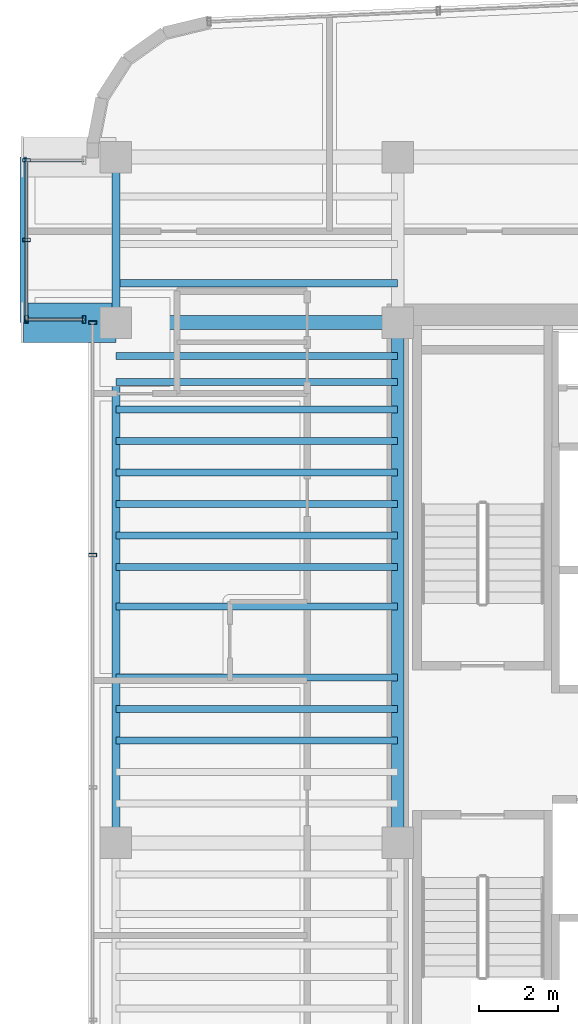
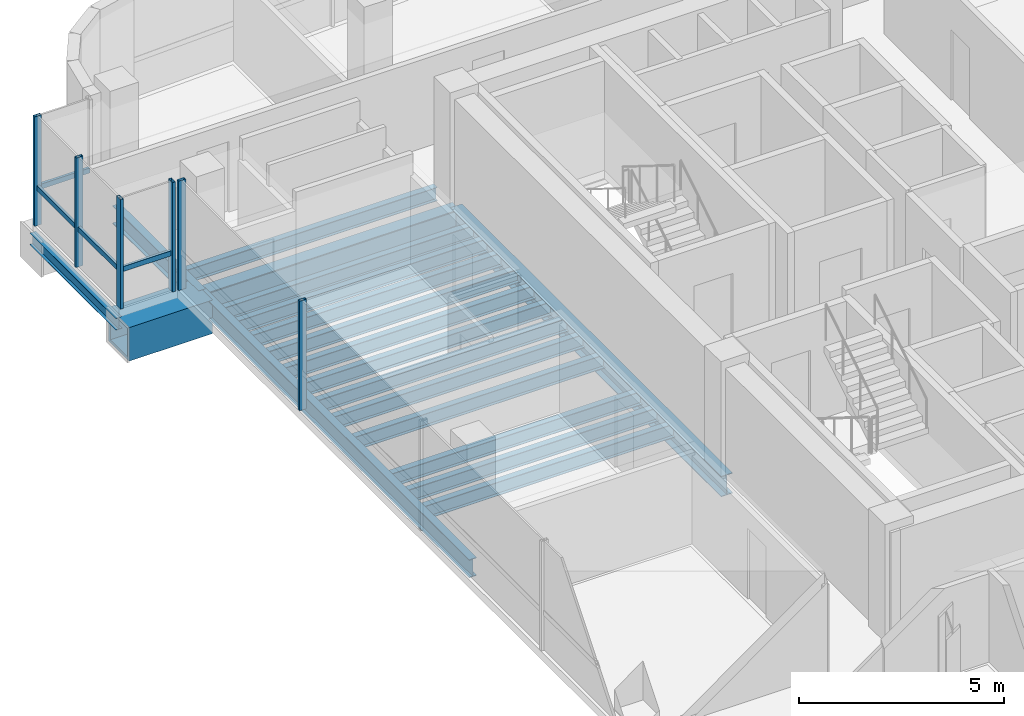
# One storey, part 7 of 21: 19 beams, 9 members, 4 elements without a shape of their own.
"""IFC4 building model written with IfcOpenShell, lengths in metres."""

from ifc_helpers import new_model, si_unit, direction, frame, origin, origin_2d, place, context, subcontext, project, spatial, hollow_rectangle, i_section, extrude, source, transform, mapped, material, material_profile, profile_set, type_object, element, aggregate, save


model = new_model("IFC4")

# Units and contexts
model_context = context("Model", 3, precision=1e-05, world=origin(), true_north=direction((0.0, 1.0)))
body_context = subcontext(model_context, "Body", "Model", "MODEL_VIEW")
ifc_project = project(units=[si_unit("LENGTHUNIT", "METRE"), si_unit("AREAUNIT", "SQUARE_METRE"), si_unit("VOLUMEUNIT", "CUBIC_METRE"), si_unit("PLANEANGLEUNIT", "RADIAN"), si_unit("MASSUNIT", "GRAM", prefix="KILO")], contexts=[model_context])

# Site, building, storey
site_placement = place(None, origin())
site = spatial("IfcSite", under=ifc_project, at=site_placement, CompositionType="ELEMENT")
building_placement = place(site_placement, origin())
building = spatial("IfcBuilding", under=site, at=building_placement, Name="Valdorenza Pilgrim Sanctuary Tower", CompositionType="ELEMENT")
storey_placement = place(building_placement, frame((0.0, 0.0, 258.0)))
storey = spatial("IfcBuildingStorey", under=building, at=storey_placement, Name="L67", CompositionType="ELEMENT", Elevation=258.0)

# Beams
ifc_material_1 = material(Name="Steel ASTM A992 Grade 50", Category="steel")
ifc_material_profile_1 = material_profile(ifc_material_1, i_section(OverallWidth=0.323974609375, OverallDepth=0.611083984375, WebThickness=0.0126953125, FlangeThickness=0.01904296875, at=origin_2d()), Name="W24X104")
ifc_profile_set_1 = profile_set([ifc_material_profile_1], Name="Steel ASTM A992 Grade 50")
beam_type_1 = type_object("IfcBeamType", Name="STR-BM-GRD-W24B", PredefinedType="BEAM", material=ifc_profile_set_1)
shared_shape_1 = source(origin(), body_context, "Body", "SweptSolid", [
    extrude(i_section(OverallWidth=0.323974609375, OverallDepth=0.611083984375, WebThickness=0.0126953125, FlangeThickness=0.01904296875, at=origin_2d()), origin(), (0.0, 0.0, 1.0), 13.2001953125),
])
beam_1_placement = place(storey_placement, frame((-22.64990234375, -2.60009765625, -0.54541015625), z_axis=(0.0, 1.0, 0.0), x_axis=(-1.0, 0.0, 0.0)))
element("IfcBeam", 1, at=beam_1_placement, inside=storey, type_object=beam_type_1, Name="L67 Core Tie Girder CA-W-M0N1", PredefinedType="BEAM", context=body_context, shape_type="MappedRepresentation", body=[
    mapped(shared_shape_1, transform((0.0, 0.0, 0.0), x_axis=(1.0, 0.0, 0.0), y_axis=(0.0, 1.0, 0.0), z_axis=(0.0, 0.0, 1.0), scale=1.0)),
])
ifc_material_profile_2 = material_profile(ifc_material_1, i_section(OverallWidth=0.1708984375, OverallDepth=0.35107421875, WebThickness=0.0068359375, FlangeThickness=0.009765625, at=origin_2d()), Name="W14X30")
ifc_profile_set_2 = profile_set([ifc_material_profile_2], Name="Steel ASTM A992 Grade 50")
beam_type_2 = type_object("IfcBeamType", Name="STR-BM-BOX-W14", PredefinedType="BEAM", material=ifc_profile_set_2)
shared_shape_2 = source(origin(), body_context, "Body", "SweptSolid", [
    extrude(i_section(OverallWidth=0.1708984375, OverallDepth=0.35107421875, WebThickness=0.0068359375, FlangeThickness=0.009765625, at=origin_2d()), origin(), (0.0, 0.0, 1.0), 4.199951171875),
])
beam_2_placement = place(storey_placement, frame((-32.14990234375, 10.60009765625, -0.41552734375), z_axis=(0.0, 1.0, 0.0), x_axis=(-1.0, 0.0, 0.0)))
element("IfcBeam", 2, at=beam_2_placement, inside=storey, type_object=beam_type_2, Name="L67 Glass Box Edge Beam BOX-WA-L67-F", PredefinedType="BEAM", context=body_context, shape_type="MappedRepresentation", body=[
    mapped(shared_shape_2, transform((0.0, 0.0, 0.0), x_axis=(1.0, 0.0, 0.0), y_axis=(0.0, 1.0, 0.0), z_axis=(0.0, 0.0, 1.0), scale=1.0)),
])
ifc_material_profile_3 = material_profile(ifc_material_1, i_section(OverallWidth=0.2109375, OverallDepth=0.5390625, WebThickness=0.01171875, FlangeThickness=0.018798828125, at=origin_2d()), Name="W21X73")
ifc_profile_set_3 = profile_set([ifc_material_profile_3], Name="Steel ASTM A992 Grade 50")
beam_type_3 = type_object("IfcBeamType", Name="STR-BM-SPN-W21B", PredefinedType="SPANDREL", material=ifc_profile_set_3)
shared_shape_3 = source(origin(), body_context, "Body", "SweptSolid", [
    extrude(i_section(OverallWidth=0.2109375, OverallDepth=0.5390625, WebThickness=0.01171875, FlangeThickness=0.018798828125, at=origin_2d()), origin(), (0.0, 0.0, 1.0), 13.2001953125),
])
beam_3_placement = place(storey_placement, frame((-29.800048828125, -2.60009765625, -0.509521484375), z_axis=(0.0, 1.0, 0.0), x_axis=(-1.0, 0.0, 0.0)))
element("IfcBeam", 3, at=beam_3_placement, inside=storey, type_object=beam_type_3, Name="L67 Spandrel Beam WA-W-M0N1", PredefinedType="SPANDREL", context=body_context, shape_type="MappedRepresentation", body=[
    mapped(shared_shape_3, transform((0.0, 0.0, 0.0), x_axis=(1.0, 0.0, 0.0), y_axis=(0.0, 1.0, 0.0), z_axis=(0.0, 0.0, 1.0), scale=1.0)),
])
shared_shape_4 = source(origin(), body_context, "Body", "SweptSolid", [
    extrude(i_section(OverallWidth=0.2109375, OverallDepth=0.5390625, WebThickness=0.01171875, FlangeThickness=0.018798828125, at=origin_2d()), origin(), (0.0, 0.0, 1.0), 4.199951171875),
])
beam_4_placement = place(storey_placement, frame((-29.800048828125, 10.60009765625, -0.509521484375), z_axis=(0.0, 1.0, 0.0), x_axis=(-1.0, 0.0, 0.0)))
element("IfcBeam", 4, at=beam_4_placement, inside=storey, type_object=beam_type_3, Name="L67 Spandrel Beam WA-W-N1N2", PredefinedType="SPANDREL", context=body_context, shape_type="MappedRepresentation", body=[
    mapped(shared_shape_4, transform((0.0, 0.0, 0.0), x_axis=(1.0, 0.0, 0.0), y_axis=(0.0, 1.0, 0.0), z_axis=(0.0, 0.0, 1.0), scale=1.0)),
])
ifc_material_profile_4 = material_profile(ifc_material_1, i_section(OverallWidth=0.35595703125, OverallDepth=0.700927734375, WebThickness=0.016845703125, FlangeThickness=0.02734375, at=origin_2d()), Name="W27X161")
ifc_profile_set_4 = profile_set([ifc_material_profile_4], Name="Steel ASTM A992 Grade 50")
beam_type_4 = type_object("IfcBeamType", Name="STR-BM-GRD-W27", PredefinedType="BEAM", material=ifc_profile_set_4)
shared_shape_5 = source(origin(), body_context, "Body", "SweptSolid", [
    extrude(i_section(OverallWidth=0.35595703125, OverallDepth=0.700927734375, WebThickness=0.016845703125, FlangeThickness=0.02734375, at=origin_2d()), origin(), (0.0, 0.0, 1.0), 7.150146484375),
])
beam_5_placement = place(storey_placement, frame((-29.800048828125, 10.60009765625, -0.590576171875), z_axis=(1.0, 0.0, 0.0), x_axis=(0.0, 1.0, 0.0)))
element("IfcBeam", 5, at=beam_5_placement, inside=storey, type_object=beam_type_4, Name="L67 Floor Girder WA-XW-N1", PredefinedType="BEAM", context=body_context, shape_type="MappedRepresentation", body=[
    mapped(shared_shape_5, transform((0.0, 0.0, 0.0), x_axis=(1.0, 0.0, 0.0), y_axis=(0.0, 1.0, 0.0), z_axis=(0.0, 0.0, 1.0), scale=1.0)),
])
ifc_material_profile_5 = material_profile(ifc_material_1, i_section(OverallWidth=0.177978515625, OverallDepth=0.406005859375, WebThickness=0.0078125, FlangeThickness=0.0126953125, at=origin_2d()), Name="W16X40")
ifc_profile_set_5 = profile_set([ifc_material_profile_5], Name="Steel ASTM A992 Grade 50")
beam_type_5 = type_object("IfcBeamType", Name="STR-BM-JST-W16", PredefinedType="JOIST", material=ifc_profile_set_5)
shared_shape_6 = source(origin(), body_context, "Body", "SweptSolid", [
    extrude(i_section(OverallWidth=0.177978515625, OverallDepth=0.406005859375, WebThickness=0.0078125, FlangeThickness=0.0126953125, at=origin_2d()), origin(), (0.0, 0.0, 1.0), 7.150146484375),
])
for number, where, z_axis, x_axis, name in (
    (6, (-29.800048828125, 0.0, -0.443115234375), (1.0, 0.0, 0.0), (0.0, 1.0, 0.0), "L67 Composite Floor Joist JST-WA-12"),
    (7, (-29.800048828125, 0.800048828125, -0.443115234375), (1.0, 0.0, 0.0), (0.0, 1.0, 0.0), "L67 Composite Floor Joist JST-WA-13"),
    (8, (-29.800048828125, 1.60009765625, -0.443115234375), (1.0, 0.0, 0.0), (0.0, 1.0, 0.0), "L67 Composite Floor Joist JST-WA-14"),
    (9, (-29.800048828125, 3.39990234375, -0.443115234375), (1.0, 0.0, 0.0), (0.0, 1.0, 0.0), "L67 Composite Floor Joist JST-WA-15"),
    (10, (-29.800048828125, 4.39990234375, -0.443115234375), (1.0, 0.0, 0.0), (0.0, 1.0, 0.0), "L67 Composite Floor Joist JST-WA-16"),
    (11, (-29.800048828125, 5.199951171875, -0.443115234375), (1.0, 0.0, 0.0), (0.0, 1.0, 0.0), "L67 Composite Floor Joist JST-WA-17"),
    (12, (-29.800048828125, 6.0, -0.443115234375), (1.0, 0.0, 0.0), (0.0, 1.0, 0.0), "L67 Composite Floor Joist JST-WA-18"),
    (13, (-29.800048828125, 6.800048828125, -0.443115234375), (1.0, 0.0, 0.0), (0.0, 1.0, 0.0), "L67 Composite Floor Joist JST-WA-19"),
    (14, (-29.800048828125, 7.60009765625, -0.443115234375), (1.0, 0.0, 0.0), (0.0, 1.0, 0.0), "L67 Composite Floor Joist JST-WA-20"),
    (15, (-29.800048828125, 8.39990234375, -0.443115234375), (1.0, 0.0, 0.0), (0.0, 1.0, 0.0), "L67 Composite Floor Joist JST-WA-21"),
    (16, (-29.800048828125, 9.10009765625, -0.443115234375), (1.0, 0.0, 0.0), (0.0, 1.0, 0.0), "L67 Composite Floor Joist JST-WA-22"),
    (17, (-29.800048828125, 9.75, -0.443115234375), (1.0, 0.0, 0.0), (0.0, 1.0, 0.0), "L67 Composite Floor Joist JST-WA-23"),
    (18, (-29.800048828125, 11.60009765625, -0.443115234375), (1.0, 0.0, 0.0), (0.0, 1.0, 0.0), "L67 Composite Floor Joist JST-WA-24"),
):
    element("IfcBeam", number, at=place(storey_placement, frame(where, z_axis=z_axis, x_axis=x_axis)), inside=storey, type_object=beam_type_5, Name=name, PredefinedType="JOIST", context=body_context, shape_type="MappedRepresentation", body=[
        mapped(shared_shape_6, transform((0.0, 0.0, 0.0), x_axis=(1.0, 0.0, 0.0), y_axis=(0.0, 1.0, 0.0), z_axis=(0.0, 0.0, 1.0), scale=1.0)),
    ])
ifc_material_2 = material(Name="Steel ASTM A572 Grade 42", Category="steel")
ifc_material_profile_6 = material_profile(ifc_material_2, hollow_rectangle(XDim=1.0, YDim=1.0, WallThickness=0.080078125, at=origin_2d()), Name="BOX 1000x1000x80")
ifc_profile_set_6 = profile_set([ifc_material_profile_6], Name="Steel ASTM A572 Grade 42")
beam_type_6 = type_object("IfcBeamType", Name="STR-BM-PROW-CANT", PredefinedType="BEAM", material=ifc_profile_set_6)
shared_shape_7 = source(origin(), body_context, "Body", "SweptSolid", [
    extrude(hollow_rectangle(XDim=1.0, YDim=1.0, WallThickness=0.080078125, at=origin_2d()), origin(), (0.0, 0.0, 1.0), 2.349853515625),
])
beam_6_placement = place(storey_placement, frame((-29.800048828125, 10.60009765625, -0.739990234375), z_axis=(-1.0, 0.0, 0.0), x_axis=(0.0, -1.0, 0.0)))
element("IfcBeam", 19, at=beam_6_placement, inside=storey, type_object=beam_type_6, Name="L67 Glass Box Cantilever Beam BOX-WA-L67-CT-S", PredefinedType="BEAM", context=body_context, shape_type="MappedRepresentation", body=[
    mapped(shared_shape_7, transform((0.0, 0.0, 0.0), x_axis=(1.0, 0.0, 0.0), y_axis=(0.0, 1.0, 0.0), z_axis=(0.0, 0.0, 1.0), scale=1.0)),
])

# Curtain wall, member
ifc_material_3 = material(Name="Curtain-wall IGU glazing", Category="glass")
curtain_wall_type = type_object("IfcCurtainWallType", Name="CW-SYS-02", PredefinedType="NOTDEFINED", material=ifc_material_3)
curtain_wall_1_placement = place(storey_placement, origin())
curtain_wall_1 = element("IfcCurtainWall", 20, at=curtain_wall_1_placement, inside=storey, type_object=curtain_wall_type, Name="L67 Curtain Wall CW-L67-BOX-WA-L67-S", PredefinedType="NOTDEFINED")
ifc_material_4 = material(Name="Anodised aluminium AW-6060", Category="aluminium")
ifc_material_profile_7 = material_profile(ifc_material_4, hollow_rectangle(XDim=0.074951171875, YDim=0.14990234375, WallThickness=0.00390625, at=origin_2d()), Name="ALU-T 150x75x4")
ifc_profile_set_7 = profile_set([ifc_material_profile_7], Name="Anodised aluminium AW-6060")
member_type_1 = type_object("IfcMemberType", Name="CW-TRN-02", PredefinedType="USERDEFINED", material=ifc_profile_set_7)
shared_shape_8 = source(origin(), body_context, "Body", "SweptSolid", [
    extrude(hollow_rectangle(XDim=0.074951171875, YDim=0.14990234375, WallThickness=0.00390625, at=origin_2d()), origin(), (0.0, 0.0, 1.0), 1.4599609375),
])
member_1_placement = place(storey_placement, frame((-30.610107421875, 10.679931640625, 1.1201171875), z_axis=(-1.0, 0.0, 0.0), x_axis=(0.0, -1.0, 0.0)))
member_1 = element("IfcMember", 21, at=member_1_placement, type_object=member_type_1, Name="CW-L67-BOX-WA-L67-S Transom 1", ObjectType="TRANSOM", PredefinedType="USERDEFINED", context=body_context, shape_type="MappedRepresentation", body=[
    mapped(shared_shape_8, transform((0.0, 0.0, 0.0), x_axis=(1.0, 0.0, 0.0), y_axis=(0.0, 1.0, 0.0), z_axis=(0.0, 0.0, 1.0), scale=1.0)),
])

curtain_wall_2_placement = place(storey_placement, origin())
curtain_wall_2 = element("IfcCurtainWall", 22, at=curtain_wall_2_placement, inside=storey, type_object=curtain_wall_type, Name="L67 Curtain Wall CW-L67-BOX-WA-L67-N", PredefinedType="NOTDEFINED")
member_2_placement = place(storey_placement, frame((-32.070068359375, 14.719970703125, 1.1201171875), z_axis=(1.0, 0.0, 0.0), x_axis=(0.0, 1.0, 0.0)))
member_2 = element("IfcMember", 23, at=member_2_placement, type_object=member_type_1, Name="CW-L67-BOX-WA-L67-N Transom 1", ObjectType="TRANSOM", PredefinedType="USERDEFINED", context=body_context, shape_type="MappedRepresentation", body=[
    mapped(shared_shape_8, transform((0.0, 0.0, 0.0), x_axis=(1.0, 0.0, 0.0), y_axis=(0.0, 1.0, 0.0), z_axis=(0.0, 0.0, 1.0), scale=1.0)),
])
aggregate(curtain_wall_2, [member_2])

curtain_wall_3_placement = place(storey_placement, origin())
curtain_wall_3 = element("IfcCurtainWall", 24, at=curtain_wall_3_placement, inside=storey, type_object=curtain_wall_type, Name="L67 Curtain Wall CW-L67-BOX-WA-L67-F", PredefinedType="NOTDEFINED")
shared_shape_9 = source(origin(), body_context, "Body", "SweptSolid", [
    extrude(hollow_rectangle(XDim=0.074951171875, YDim=0.14990234375, WallThickness=0.00390625, at=origin_2d()), origin(), (0.0, 0.0, 1.0), 4.0400390625),
])
member_3_placement = place(storey_placement, frame((-32.070068359375, 10.679931640625, 1.1201171875), z_axis=(0.0, 1.0, 0.0), x_axis=(-1.0, 0.0, 0.0)))
member_3 = element("IfcMember", 25, at=member_3_placement, type_object=member_type_1, Name="CW-L67-BOX-WA-L67-F Transom 1", ObjectType="TRANSOM", PredefinedType="USERDEFINED", context=body_context, shape_type="MappedRepresentation", body=[
    mapped(shared_shape_9, transform((0.0, 0.0, 0.0), x_axis=(1.0, 0.0, 0.0), y_axis=(0.0, 1.0, 0.0), z_axis=(0.0, 0.0, 1.0), scale=1.0)),
])

# Curtain wall, members
curtain_wall_4_placement = place(storey_placement, origin())
curtain_wall_4 = element("IfcCurtainWall", 26, at=curtain_wall_4_placement, inside=storey, type_object=curtain_wall_type, Name="L67 Curtain Wall CW-L67-1-1S1", PredefinedType="NOTDEFINED")
ifc_material_profile_8 = material_profile(ifc_material_4, hollow_rectangle(XDim=0.0849609375, YDim=0.199951171875, WallThickness=0.0048828125, at=origin_2d()), Name="ALU-M 200x85x5")
ifc_profile_set_8 = profile_set([ifc_material_profile_8], Name="Anodised aluminium AW-6060")
member_type_2 = type_object("IfcMemberType", Name="CW-MUL-02", PredefinedType="MULLION", material=ifc_profile_set_8)
shared_shape_10 = source(origin(), body_context, "Body", "SweptSolid", [
    extrude(hollow_rectangle(XDim=0.0849609375, YDim=0.199951171875, WallThickness=0.0048828125, at=origin_2d()), origin(), (0.0, 0.0, 1.0), 3.260009765625),
])
member_4_placement = place(storey_placement, frame((-30.389892578125, 4.70263671875, 0.0), z_axis=(0.0, 0.0, 1.0), x_axis=(0.0, 1.0, 0.0)))
member_4 = element("IfcMember", 27, at=member_4_placement, type_object=member_type_2, Name="CW-L67-1-1S1 Mullion 4", PredefinedType="MULLION", context=body_context, shape_type="MappedRepresentation", body=[
    mapped(shared_shape_10, transform((0.0, 0.0, 0.0), x_axis=(1.0, 0.0, 0.0), y_axis=(0.0, 1.0, 0.0), z_axis=(0.0, 0.0, 1.0), scale=1.0)),
])
member_5_placement = place(storey_placement, frame((-30.389892578125, 10.60009765625, 0.0), z_axis=(0.0, 0.0, 1.0), x_axis=(0.0, 1.0, 0.0)))
member_5 = element("IfcMember", 28, at=member_5_placement, type_object=member_type_2, Name="CW-L67-1-1S1 Mullion 5", PredefinedType="MULLION", context=body_context, shape_type="MappedRepresentation", body=[
    mapped(shared_shape_10, transform((0.0, 0.0, 0.0), x_axis=(1.0, 0.0, 0.0), y_axis=(0.0, 1.0, 0.0), z_axis=(0.0, 0.0, 1.0), scale=1.0)),
])
aggregate(curtain_wall_4, [member_4, member_5])

# Member
member_6_placement = place(storey_placement, frame((-30.610107421875, 10.679931640625, 0.0), z_axis=(0.0, 0.0, 1.0), x_axis=(-1.0, 0.0, 0.0)))
member_6 = element("IfcMember", 29, at=member_6_placement, type_object=member_type_2, Name="CW-L67-BOX-WA-L67-S Mullion 1", PredefinedType="MULLION", context=body_context, shape_type="MappedRepresentation", body=[
    mapped(shared_shape_10, transform((0.0, 0.0, 0.0), x_axis=(1.0, 0.0, 0.0), y_axis=(0.0, 1.0, 0.0), z_axis=(0.0, 0.0, 1.0), scale=1.0)),
])

member_7_placement = place(storey_placement, frame((-32.070068359375, 10.679931640625, 0.0), z_axis=(0.0, 0.0, 1.0), x_axis=(-1.0, 0.0, 0.0)))
member_7 = element("IfcMember", 30, at=member_7_placement, type_object=member_type_2, Name="CW-L67-BOX-WA-L67-S Mullion 2", PredefinedType="MULLION", context=body_context, shape_type="MappedRepresentation", body=[
    mapped(shared_shape_10, transform((0.0, 0.0, 0.0), x_axis=(1.0, 0.0, 0.0), y_axis=(0.0, 1.0, 0.0), z_axis=(0.0, 0.0, 1.0), scale=1.0)),
])

aggregate(curtain_wall_1, [member_6, member_7, member_1])

member_8_placement = place(storey_placement, frame((-32.070068359375, 12.699951171875, 0.0), z_axis=(0.0, 0.0, 1.0), x_axis=(0.0, 1.0, 0.0)))
member_8 = element("IfcMember", 31, at=member_8_placement, type_object=member_type_2, Name="CW-L67-BOX-WA-L67-F Mullion 2", PredefinedType="MULLION", context=body_context, shape_type="MappedRepresentation", body=[
    mapped(shared_shape_10, transform((0.0, 0.0, 0.0), x_axis=(1.0, 0.0, 0.0), y_axis=(0.0, 1.0, 0.0), z_axis=(0.0, 0.0, 1.0), scale=1.0)),
])

member_9_placement = place(storey_placement, frame((-32.070068359375, 14.719970703125, 0.0), z_axis=(0.0, 0.0, 1.0), x_axis=(0.0, 1.0, 0.0)))
member_9 = element("IfcMember", 32, at=member_9_placement, type_object=member_type_2, Name="CW-L67-BOX-WA-L67-F Mullion 3", PredefinedType="MULLION", context=body_context, shape_type="MappedRepresentation", body=[
    mapped(shared_shape_10, transform((0.0, 0.0, 0.0), x_axis=(1.0, 0.0, 0.0), y_axis=(0.0, 1.0, 0.0), z_axis=(0.0, 0.0, 1.0), scale=1.0)),
])

aggregate(curtain_wall_3, [member_8, member_9, member_3])

save(model, "model.ifc")
